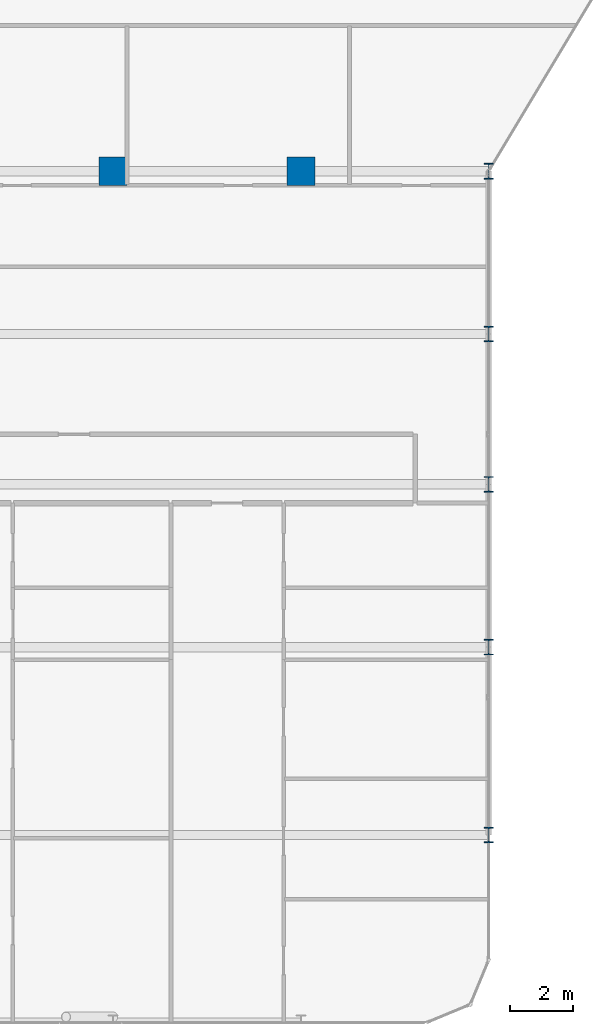
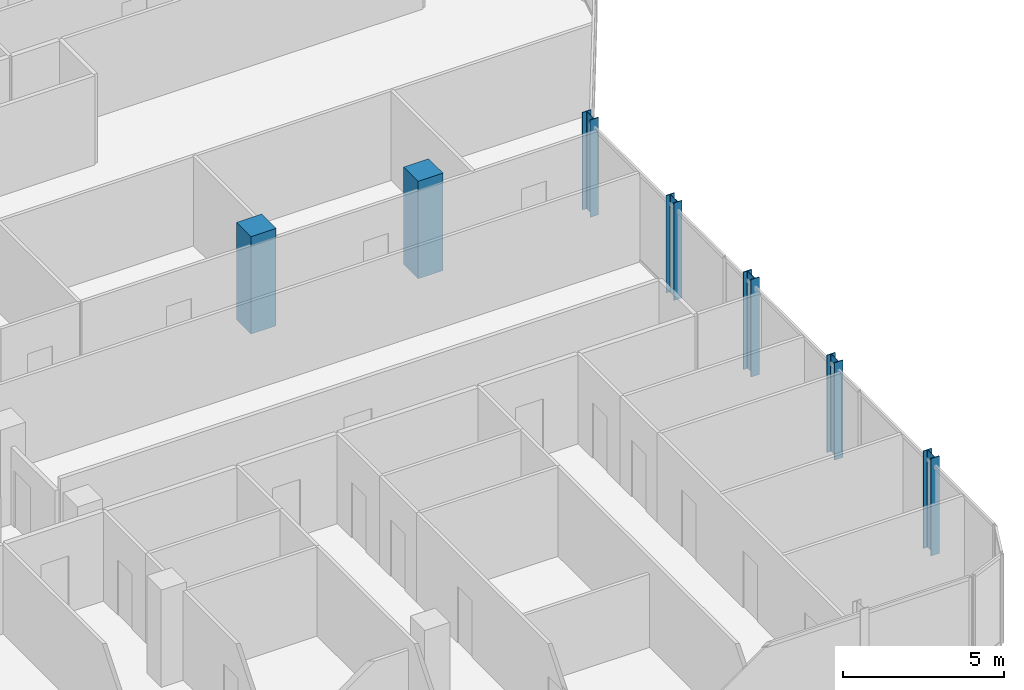
# One storey, part 2 of 31: 7 columns.
"""IFC4 building model written with IfcOpenShell, lengths in metres."""

from ifc_helpers import new_model, si_unit, direction, frame, origin, origin_2d, place, context, subcontext, project, spatial, rectangle, i_section, extrude, material, material_profile, profile_set, type_object, element, save


model = new_model("IFC4")

# Units and contexts
model_context = context("Model", 3, precision=1e-05, world=origin(), true_north=direction((0.0, 1.0)))
body_context = subcontext(model_context, "Body", "Model", "MODEL_VIEW")
ifc_project = project(units=[si_unit("LENGTHUNIT", "METRE"), si_unit("AREAUNIT", "SQUARE_METRE"), si_unit("VOLUMEUNIT", "CUBIC_METRE"), si_unit("PLANEANGLEUNIT", "RADIAN"), si_unit("MASSUNIT", "GRAM", prefix="KILO")], contexts=[model_context])

# Site, building, storey
site_placement = place(None, origin())
site = spatial("IfcSite", under=ifc_project, at=site_placement, CompositionType="ELEMENT")
building_placement = place(site_placement, origin())
building = spatial("IfcBuilding", under=site, at=building_placement, Name="Keshet Zoharim Tower", CompositionType="ELEMENT")
storey_placement = place(building_placement, frame((0.0, 0.0, 144.60009765625)))
storey = spatial("IfcBuildingStorey", under=building, at=storey_placement, Name="L35", CompositionType="ELEMENT", Elevation=144.60009765625)

# Columns
ifc_material_1 = material(Name="Steel S355", Category="steel")
ifc_material_profile_1 = material_profile(ifc_material_1, i_section(OverallWidth=0.300048828125, OverallDepth=0.5, WebThickness=0.014404296875, FlangeThickness=0.028076171875, FilletRadius=0.027099609375, at=origin_2d()), Name="HEB500")
ifc_profile_set_1 = profile_set([ifc_material_profile_1], Name="Steel S355")
column_type_1 = type_object("IfcColumnType", Name="COL-HEB500", PredefinedType="COLUMN", material=ifc_profile_set_1)
for number, where, z_axis, x_axis, name in (
    (1, (57.0, 6.699951171875, 0.0), (0.0, 0.0, 1.0), (1.0, 0.0, 0.0), "L35 Column 10B"),
    (2, (57.0, 12.699951171875, 0.0), (0.0, 0.0, 1.0), (1.0, 0.0, 0.0), "L35 Column 10C"),
    (3, (57.0, 17.89990234375, 0.0), (0.0, 0.0, 1.0), (1.0, 0.0, 0.0), "L35 Column 10D"),
    (4, (57.0, 22.699951171875, 0.0), (0.0, 0.0, 1.0), (1.0, 0.0, 0.0), "L35 Column 10E"),
    (5, (57.0, 27.89990234375, 0.0), (0.0, 0.0, 1.0), (1.0, 0.0, 0.0), "L35 Column 10F"),
):
    element("IfcColumn", number, at=place(storey_placement, frame(where, z_axis=z_axis, x_axis=x_axis)), inside=storey, type_object=column_type_1, Name=name, PredefinedType="COLUMN", context=body_context, shape_type="SweptSolid", body=[
        extrude(i_section(OverallWidth=0.300048828125, OverallDepth=0.5, WebThickness=0.014404296875, FlangeThickness=0.028076171875, FilletRadius=0.027099609375, at=origin_2d()), origin(), (0.0, 0.0, 1.0), 3.699951171875),
    ])
ifc_material_2 = material(Name="Concrete C60/75", Category="concrete")
ifc_material_profile_2 = material_profile(ifc_material_2, rectangle(XDim=0.89990234375, YDim=0.89990234375, at=origin_2d()), Name="RC900x900")
ifc_profile_set_2 = profile_set([ifc_material_profile_2], Name="Concrete C60/75")
column_type_2 = type_object("IfcColumnType", Name="COL-RC900", PredefinedType="COLUMN", material=ifc_profile_set_2)
for number, where, z_axis, x_axis, name in (
    (6, (45.0, 27.89990234375, 0.0), (0.0, 0.0, 1.0), (1.0, 0.0, 0.0), "L35 Column 8F"),
    (7, (51.0, 27.89990234375, 0.0), (0.0, 0.0, 1.0), (1.0, 0.0, 0.0), "L35 Column 9F"),
):
    element("IfcColumn", number, at=place(storey_placement, frame(where, z_axis=z_axis, x_axis=x_axis)), inside=storey, type_object=column_type_2, Name=name, PredefinedType="COLUMN", context=body_context, shape_type="SweptSolid", body=[
        extrude(rectangle(XDim=0.89990234375, YDim=0.89990234375, at=origin_2d()), origin(), (0.0, 0.0, 1.0), 3.699951171875),
    ])

save(model, "model.ifc")
